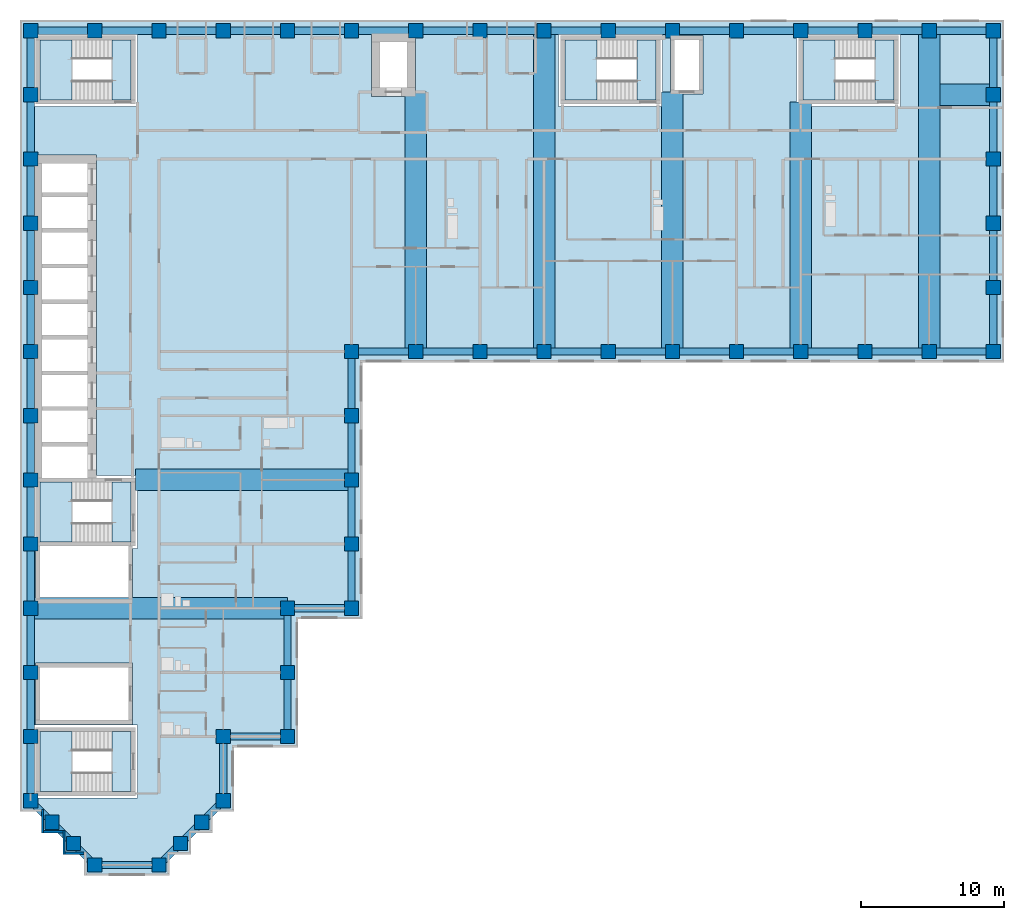
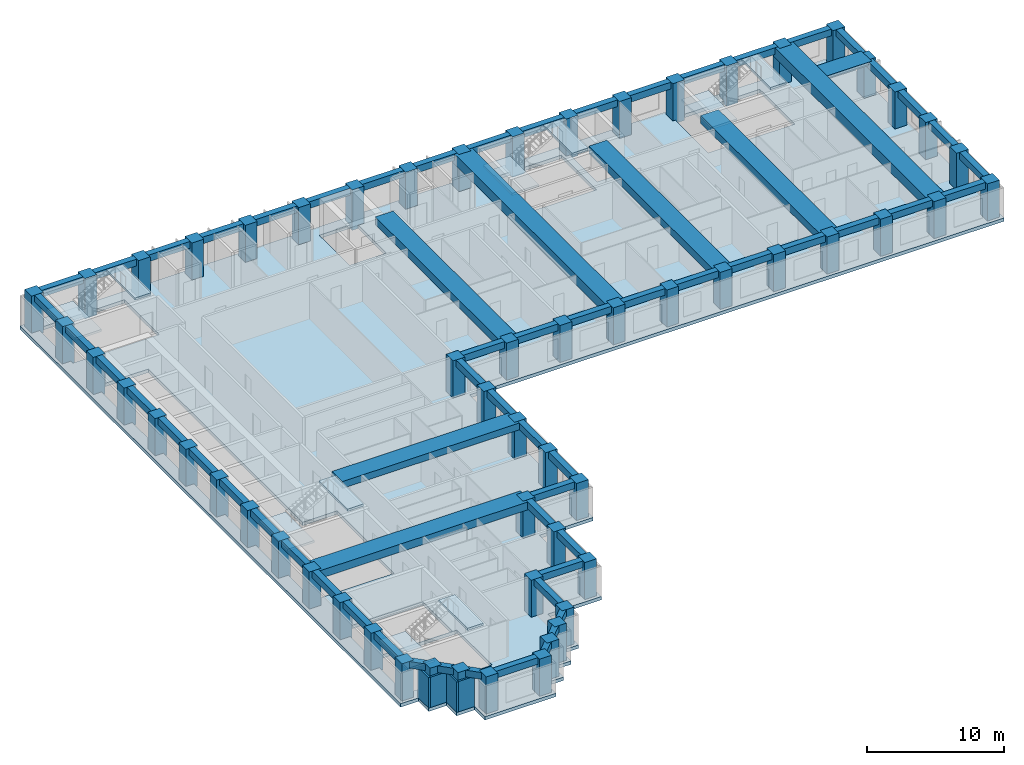
# One storey, part 1 of 12: 66 beams, 58 columns, 11 slabs, 4 walls, 5 elements without a shape of their own.
"""IFC4 building model written with IfcOpenShell, lengths in metres."""

from ifc_helpers import new_model, si_unit, direction, frame, frame_2d, origin, origin_2d, place, context, subcontext, project, spatial, polyline, rectangle, outline, extrude, material, layer, layer_set, material_profile, profile_set, type_object, element, aggregate, save


model = new_model("IFC4")

# Units and contexts
model_context = context("Model", 3, precision=1e-05, world=origin(), true_north=direction((0.0, 1.0)))
body_context = subcontext(model_context, "Body", "Model", "MODEL_VIEW")
ifc_project = project(units=[si_unit("LENGTHUNIT", "METRE"), si_unit("AREAUNIT", "SQUARE_METRE"), si_unit("VOLUMEUNIT", "CUBIC_METRE"), si_unit("PLANEANGLEUNIT", "RADIAN"), si_unit("MASSUNIT", "GRAM", prefix="KILO")], contexts=[model_context])

# Site, building, storey
site_placement = place(None, origin())
site = spatial("IfcSite", under=ifc_project, at=site_placement, CompositionType="ELEMENT")
building_placement = place(site_placement, origin())
building = spatial("IfcBuilding", under=site, at=building_placement, Name="Firuza Court", CompositionType="ELEMENT")
storey_placement = place(building_placement, frame((0.0, 0.0, 148.39990234375)))
storey = spatial("IfcBuildingStorey", under=building, at=storey_placement, Name="L37", CompositionType="ELEMENT", Elevation=148.39990234375)

# Columns
ifc_material_1 = material(Name="Concrete C60/75", Category="concrete")
ifc_material_profile_1 = material_profile(ifc_material_1, rectangle(XDim=1.0, YDim=1.0, at=origin_2d()), Name="RC 1000x1000")
ifc_profile_set_1 = profile_set([ifc_material_profile_1], Name="Concrete C60/75")
column_type = type_object("IfcColumnType", Name="Tube column RC 1000x1000 C60/75", PredefinedType="COLUMN", material=ifc_profile_set_1)
for number, where, z_axis, x_axis, name in (
    (1, (4.5, 0.0, -0.2998046875), (0.0, 0.0, 1.0), (1.0, 0.0, 0.0), "Column C-2D L37"),
    (2, (9.0, 0.0, -0.2998046875), (0.0, 0.0, 1.0), (1.0, 0.0, 0.0), "Column C-3D L37"),
    (3, (3.0, 1.5, -0.2998046875), (0.0, 0.0, 1.0), (1.0, 0.0, 0.0), "Column C-SA1 L37"),
    (4, (10.5, 1.5, -0.2998046875), (0.0, 0.0, 1.0), (1.0, 0.0, 0.0), "Column C-SA2 L37"),
    (5, (1.5, 3.0, -0.2998046875), (0.0, 0.0, 1.0), (1.0, 0.0, 0.0), "Column C-SA3 L37"),
    (6, (12.0, 3.0, -0.2998046875), (0.0, 0.0, 1.0), (1.0, 0.0, 0.0), "Column C-SA4 L37"),
    (7, (0.0, 4.5, -0.2998046875), (0.0, 0.0, 1.0), (1.0, 0.0, 0.0), "Column C-1E L37"),
    (8, (13.5, 4.5, -0.2998046875), (0.0, 0.0, 1.0), (1.0, 0.0, 0.0), "Column C-4E L37"),
    (9, (0.0, 9.0, -0.2998046875), (0.0, 0.0, 1.0), (1.0, 0.0, 0.0), "Column C-1F L37"),
    (10, (13.5, 9.0, -0.2998046875), (0.0, 0.0, 1.0), (1.0, 0.0, 0.0), "Column C-4F L37"),
    (11, (18.0, 9.0, -0.2998046875), (0.0, 0.0, 1.0), (1.0, 0.0, 0.0), "Column C-5F L37"),
    (12, (0.0, 13.5, -0.2998046875), (0.0, 0.0, 1.0), (1.0, 0.0, 0.0), "Column C-1G L37"),
    (13, (18.0, 13.5, -0.2998046875), (0.0, 0.0, 1.0), (1.0, 0.0, 0.0), "Column C-5G L37"),
    (14, (0.0, 18.0, -0.2998046875), (0.0, 0.0, 1.0), (1.0, 0.0, 0.0), "Column C-1H L37"),
    (15, (18.0, 18.0, -0.2998046875), (0.0, 0.0, 1.0), (1.0, 0.0, 0.0), "Column C-5H L37"),
    (16, (22.5, 18.0, -0.2998046875), (0.0, 0.0, 1.0), (1.0, 0.0, 0.0), "Column C-6H L37"),
    (17, (0.0, 22.5, -0.2998046875), (0.0, 0.0, 1.0), (1.0, 0.0, 0.0), "Column C-1J L37"),
    (18, (22.5, 22.5, -0.2998046875), (0.0, 0.0, 1.0), (1.0, 0.0, 0.0), "Column C-6J L37"),
    (19, (0.0, 27.0, -0.2998046875), (0.0, 0.0, 1.0), (1.0, 0.0, 0.0), "Column C-1K L37"),
    (20, (22.5, 27.0, -0.2998046875), (0.0, 0.0, 1.0), (1.0, 0.0, 0.0), "Column C-6K L37"),
    (21, (0.0, 31.5, -0.2998046875), (0.0, 0.0, 1.0), (1.0, 0.0, 0.0), "Column C-1L L37"),
    (22, (22.5, 31.5, -0.2998046875), (0.0, 0.0, 1.0), (1.0, 0.0, 0.0), "Column C-6L L37"),
    (23, (0.0, 36.0, -0.2998046875), (0.0, 0.0, 1.0), (1.0, 0.0, 0.0), "Column C-1M L37"),
    (24, (22.5, 36.0, -0.2998046875), (0.0, 0.0, 1.0), (1.0, 0.0, 0.0), "Column C-6M L37"),
    (25, (27.0, 36.0, -0.2998046875), (0.0, 0.0, 1.0), (1.0, 0.0, 0.0), "Column C-7M L37"),
    (26, (31.5, 36.0, -0.2998046875), (0.0, 0.0, 1.0), (1.0, 0.0, 0.0), "Column C-8M L37"),
    (27, (36.0, 36.0, -0.2998046875), (0.0, 0.0, 1.0), (1.0, 0.0, 0.0), "Column C-9M L37"),
    (28, (40.5, 36.0, -0.2998046875), (0.0, 0.0, 1.0), (1.0, 0.0, 0.0), "Column C-10M L37"),
    (29, (45.0, 36.0, -0.2998046875), (0.0, 0.0, 1.0), (1.0, 0.0, 0.0), "Column C-11M L37"),
    (30, (49.5, 36.0, -0.2998046875), (0.0, 0.0, 1.0), (1.0, 0.0, 0.0), "Column C-12M L37"),
    (31, (54.0, 36.0, -0.2998046875), (0.0, 0.0, 1.0), (1.0, 0.0, 0.0), "Column C-13M L37"),
    (32, (58.5, 36.0, -0.2998046875), (0.0, 0.0, 1.0), (1.0, 0.0, 0.0), "Column C-14M L37"),
    (33, (63.0, 36.0, -0.2998046875), (0.0, 0.0, 1.0), (1.0, 0.0, 0.0), "Column C-15M L37"),
    (34, (67.5, 36.0, -0.2998046875), (0.0, 0.0, 1.0), (1.0, 0.0, 0.0), "Column C-16M L37"),
    (35, (0.0, 40.5, -0.2998046875), (0.0, 0.0, 1.0), (1.0, 0.0, 0.0), "Column C-1N L37"),
    (36, (67.5, 40.5, -0.2998046875), (0.0, 0.0, 1.0), (1.0, 0.0, 0.0), "Column C-16N L37"),
    (37, (0.0, 45.0, -0.2998046875), (0.0, 0.0, 1.0), (1.0, 0.0, 0.0), "Column C-1P L37"),
    (38, (67.5, 45.0, -0.2998046875), (0.0, 0.0, 1.0), (1.0, 0.0, 0.0), "Column C-16P L37"),
    (39, (0.0, 49.5, -0.2998046875), (0.0, 0.0, 1.0), (1.0, 0.0, 0.0), "Column C-1Q L37"),
    (40, (67.5, 49.5, -0.2998046875), (0.0, 0.0, 1.0), (1.0, 0.0, 0.0), "Column C-16Q L37"),
    (41, (0.0, 54.0, -0.2998046875), (0.0, 0.0, 1.0), (1.0, 0.0, 0.0), "Column C-1R L37"),
    (42, (67.5, 54.0, -0.2998046875), (0.0, 0.0, 1.0), (1.0, 0.0, 0.0), "Column C-16R L37"),
    (43, (0.0, 58.5, -0.2998046875), (0.0, 0.0, 1.0), (1.0, 0.0, 0.0), "Column C-1S L37"),
    (44, (4.5, 58.5, -0.2998046875), (0.0, 0.0, 1.0), (1.0, 0.0, 0.0), "Column C-2S L37"),
    (45, (9.0, 58.5, -0.2998046875), (0.0, 0.0, 1.0), (1.0, 0.0, 0.0), "Column C-3S L37"),
    (46, (13.5, 58.5, -0.2998046875), (0.0, 0.0, 1.0), (1.0, 0.0, 0.0), "Column C-4S L37"),
    (47, (18.0, 58.5, -0.2998046875), (0.0, 0.0, 1.0), (1.0, 0.0, 0.0), "Column C-5S L37"),
    (48, (22.5, 58.5, -0.2998046875), (0.0, 0.0, 1.0), (1.0, 0.0, 0.0), "Column C-6S L37"),
    (49, (27.0, 58.5, -0.2998046875), (0.0, 0.0, 1.0), (1.0, 0.0, 0.0), "Column C-7S L37"),
    (50, (31.5, 58.5, -0.2998046875), (0.0, 0.0, 1.0), (1.0, 0.0, 0.0), "Column C-8S L37"),
    (51, (36.0, 58.5, -0.2998046875), (0.0, 0.0, 1.0), (1.0, 0.0, 0.0), "Column C-9S L37"),
    (52, (40.5, 58.5, -0.2998046875), (0.0, 0.0, 1.0), (1.0, 0.0, 0.0), "Column C-10S L37"),
    (53, (45.0, 58.5, -0.2998046875), (0.0, 0.0, 1.0), (1.0, 0.0, 0.0), "Column C-11S L37"),
    (54, (49.5, 58.5, -0.2998046875), (0.0, 0.0, 1.0), (1.0, 0.0, 0.0), "Column C-12S L37"),
    (55, (54.0, 58.5, -0.2998046875), (0.0, 0.0, 1.0), (1.0, 0.0, 0.0), "Column C-13S L37"),
    (56, (58.5, 58.5, -0.2998046875), (0.0, 0.0, 1.0), (1.0, 0.0, 0.0), "Column C-14S L37"),
    (57, (63.0, 58.5, -0.2998046875), (0.0, 0.0, 1.0), (1.0, 0.0, 0.0), "Column C-15S L37"),
    (58, (67.5, 58.5, -0.2998046875), (0.0, 0.0, 1.0), (1.0, 0.0, 0.0), "Column C-16S L37"),
):
    element("IfcColumn", number, at=place(storey_placement, frame(where, z_axis=z_axis, x_axis=x_axis)), inside=storey, type_object=column_type, Name=name, PredefinedType="COLUMN", context=body_context, shape_type="SweptSolid", body=[
        extrude(rectangle(XDim=1.0, YDim=1.0, at=origin_2d()), origin(), (0.0, 0.0, 1.0), 3.599853515625),
    ])

# Beams
ifc_material_2 = material(Name="Concrete C40/50", Category="concrete")
ifc_material_profile_2 = material_profile(ifc_material_2, rectangle(XDim=1.5, YDim=0.300048828125, at=origin_2d()), Name="RC 1500x300")
ifc_profile_set_2 = profile_set([ifc_material_profile_2], Name="Concrete C40/50")
beam_type_1 = type_object("IfcBeamType", Name="Band beam RC 1500x300 C40/50", PredefinedType="BEAM", material=ifc_profile_set_2)
beam_1_placement = place(storey_placement, frame((67.5, 54.0, 3.150146484375), z_axis=(-1.0, 0.0, 0.0), x_axis=(0.0, -1.0, 0.0)))
element("IfcBeam", 59, at=beam_1_placement, inside=storey, type_object=beam_type_1, Name="Band beam FB6 level L38", PredefinedType="BEAM", context=body_context, shape_type="SweptSolid", body=[
    extrude(rectangle(XDim=1.5, YDim=0.300048828125, at=origin_2d()), origin(), (0.0, 0.0, 1.0), 3.75),
])
ifc_material_3 = material(Name="Concrete C40/50", Category="concrete")
ifc_material_profile_3 = material_profile(ifc_material_3, rectangle(XDim=1.5, YDim=0.60009765625, at=origin_2d()), Name="RC 1500x600")
ifc_profile_set_3 = profile_set([ifc_material_profile_3], Name="Concrete C40/50")
beam_type_2 = type_object("IfcBeamType", Name="Band beam RC 1500x600 C40/50", PredefinedType="BEAM", material=ifc_profile_set_3)
beam_2_placement = place(storey_placement, frame((22.5, 27.0, 3.0), z_axis=(-1.0, 0.0, 0.0), x_axis=(0.0, -1.0, 0.0)))
element("IfcBeam", 60, at=beam_2_placement, inside=storey, type_object=beam_type_2, Name="Band beam FB3 level L38", PredefinedType="BEAM", context=body_context, shape_type="SweptSolid", body=[
    extrude(rectangle(XDim=1.5, YDim=0.60009765625, at=origin_2d()), origin(), (0.0, 0.0, 1.0), 15.14990234375),
])
ifc_material_4 = material(Name="Concrete C40/50", Category="concrete")
ifc_material_profile_4 = material_profile(ifc_material_4, rectangle(XDim=1.5, YDim=0.699951171875, at=origin_2d()), Name="RC 1500x700")
ifc_profile_set_4 = profile_set([ifc_material_profile_4], Name="Concrete C40/50")
beam_type_3 = type_object("IfcBeamType", Name="Band beam RC 1500x700 C40/50", PredefinedType="BEAM", material=ifc_profile_set_4)
beam_3_placement = place(storey_placement, frame((0.0, 18.0, 2.9501953125), z_axis=(1.0, 0.0, 0.0), x_axis=(0.0, 1.0, 0.0)))
element("IfcBeam", 61, at=beam_3_placement, inside=storey, type_object=beam_type_3, Name="Band beam FB1 level L38", PredefinedType="BEAM", context=body_context, shape_type="SweptSolid", body=[
    extrude(rectangle(XDim=1.5, YDim=0.699951171875, at=origin_2d()), origin(), (0.0, 0.0, 1.0), 18.0),
])
for number, where, z_axis, x_axis, name in (
    (62, (27.0, 36.0, 2.9501953125), (0.0, 1.0, 0.0), (-1.0, 0.0, 0.0), "Band beam FB1 level L38"),
    (63, (45.0, 36.0, 2.9501953125), (0.0, 1.0, 0.0), (-1.0, 0.0, 0.0), "Band beam FB1 level L38"),
):
    element("IfcBeam", number, at=place(storey_placement, frame(where, z_axis=z_axis, x_axis=x_axis)), inside=storey, type_object=beam_type_3, Name=name, PredefinedType="BEAM", context=body_context, shape_type="SweptSolid", body=[
        extrude(rectangle(XDim=1.5, YDim=0.699951171875, at=origin_2d()), origin(), (0.0, 0.0, 1.0), 18.199951171875),
    ])
beam_4_placement = place(storey_placement, frame((54.0, 36.0, 2.9501953125), z_axis=(0.0, 1.0, 0.0), x_axis=(-1.0, 0.0, 0.0)))
element("IfcBeam", 64, at=beam_4_placement, inside=storey, type_object=beam_type_3, Name="Band beam FB1 level L38", PredefinedType="BEAM", context=body_context, shape_type="SweptSolid", body=[
    extrude(rectangle(XDim=1.5, YDim=0.699951171875, at=origin_2d()), origin(), (0.0, 0.0, 1.0), 17.5),
])
ifc_material_5 = material(Name="Concrete C40/50", Category="concrete")
ifc_material_profile_5 = material_profile(ifc_material_5, rectangle(XDim=1.5, YDim=0.89990234375, at=origin_2d()), Name="RC 1500x900")
ifc_profile_set_5 = profile_set([ifc_material_profile_5], Name="Concrete C40/50")
beam_type_4 = type_object("IfcBeamType", Name="Band beam RC 1500x900 C40/50", PredefinedType="BEAM", material=ifc_profile_set_5)
for number, where, z_axis, x_axis, name in (
    (65, (36.0, 36.0, 2.85009765625), (0.0, 1.0, 0.0), (-1.0, 0.0, 0.0), "Band beam FB2 level L38"),
    (66, (63.0, 36.0, 2.85009765625), (0.0, 1.0, 0.0), (-1.0, 0.0, 0.0), "Band beam FB2 level L38"),
):
    element("IfcBeam", number, at=place(storey_placement, frame(where, z_axis=z_axis, x_axis=x_axis)), inside=storey, type_object=beam_type_4, Name=name, PredefinedType="BEAM", context=body_context, shape_type="SweptSolid", body=[
        extrude(rectangle(XDim=1.5, YDim=0.89990234375, at=origin_2d()), origin(), (0.0, 0.0, 1.0), 22.5),
    ])
ifc_material_6 = material(Name="Concrete C40/50", Category="concrete")
ifc_material_profile_6 = material_profile(ifc_material_6, rectangle(XDim=0.5, YDim=0.60009765625, at=origin_2d()), Name="RC 500x600")
ifc_profile_set_6 = profile_set([ifc_material_profile_6], Name="Concrete C40/50")
beam_type_5 = type_object("IfcBeamType", Name="Spandrel beam RC 500x600 C40/50", PredefinedType="BEAM", material=ifc_profile_set_6)
beam_5_placement = place(storey_placement, frame((0.0, 4.5, 3.0), z_axis=(0.707106781187, -0.707106781187, 0.0), x_axis=(0.707106781187, 0.707106781187, 0.0)))
element("IfcBeam", 67, at=beam_5_placement, inside=storey, type_object=beam_type_5, Name="Spandrel beam SP13 level L38", PredefinedType="BEAM", context=body_context, shape_type="SweptSolid", body=[
    extrude(rectangle(XDim=0.5, YDim=0.60009765625, at=origin_2d()), origin(), (0.0, 0.0, 1.0), 2.121337890625),
])
for number, where, z_axis, x_axis, name in (
    (68, (0.0, 9.0, 3.0), (0.0, -1.0, 0.0), (1.0, 0.0, 0.0), "Spandrel beam SP13 level L38"),
    (69, (0.0, 13.5, 3.0), (0.0, -1.0, 0.0), (1.0, 0.0, 0.0), "Spandrel beam SP13 level L38"),
    (70, (0.0, 18.0, 3.0), (0.0, -1.0, 0.0), (1.0, 0.0, 0.0), "Spandrel beam SP13 level L38"),
    (71, (0.0, 22.5, 3.0), (0.0, -1.0, 0.0), (1.0, 0.0, 0.0), "Spandrel beam SP13 level L38"),
    (72, (0.0, 27.0, 3.0), (0.0, -1.0, 0.0), (1.0, 0.0, 0.0), "Spandrel beam SP13 level L38"),
    (73, (0.0, 31.5, 3.0), (0.0, -1.0, 0.0), (1.0, 0.0, 0.0), "Spandrel beam SP13 level L38"),
    (74, (0.0, 36.0, 3.0), (0.0, -1.0, 0.0), (1.0, 0.0, 0.0), "Spandrel beam SP13 level L38"),
    (75, (0.0, 40.5, 3.0), (0.0, -1.0, 0.0), (1.0, 0.0, 0.0), "Spandrel beam SP13 level L38"),
    (76, (0.0, 45.0, 3.0), (0.0, -1.0, 0.0), (1.0, 0.0, 0.0), "Spandrel beam SP13 level L38"),
    (77, (0.0, 49.5, 3.0), (0.0, -1.0, 0.0), (1.0, 0.0, 0.0), "Spandrel beam SP13 level L38"),
    (78, (0.0, 54.0, 3.0), (0.0, -1.0, 0.0), (1.0, 0.0, 0.0), "Spandrel beam SP13 level L38"),
    (79, (0.0, 58.5, 3.0), (0.0, -1.0, 0.0), (1.0, 0.0, 0.0), "Spandrel beam SP13 level L38"),
):
    element("IfcBeam", number, at=place(storey_placement, frame(where, z_axis=z_axis, x_axis=x_axis)), inside=storey, type_object=beam_type_5, Name=name, PredefinedType="BEAM", context=body_context, shape_type="SweptSolid", body=[
        extrude(rectangle(XDim=0.5, YDim=0.60009765625, at=origin_2d()), origin(), (0.0, 0.0, 1.0), 4.5),
    ])
for number, where, z_axis, x_axis, name in (
    (80, (1.5, 3.0, 3.0), (0.707106781187, -0.707106781187, 0.0), (0.707106781187, 0.707106781187, 0.0), "Spandrel beam SP13 level L38"),
    (81, (3.0, 1.5, 3.0), (0.707106781187, -0.707106781187, 0.0), (0.707106781187, 0.707106781187, 0.0), "Spandrel beam SP13 level L38"),
):
    element("IfcBeam", number, at=place(storey_placement, frame(where, z_axis=z_axis, x_axis=x_axis)), inside=storey, type_object=beam_type_5, Name=name, PredefinedType="BEAM", context=body_context, shape_type="SweptSolid", body=[
        extrude(rectangle(XDim=0.5, YDim=0.60009765625, at=origin_2d()), origin(), (0.0, 0.0, 1.0), 2.121337890625),
    ])
for number, where, z_axis, x_axis, name in (
    (82, (4.5, 0.0, 3.0), (1.0, 0.0, 0.0), (0.0, 1.0, 0.0), "Spandrel beam SP13 level L38"),
    (83, (4.5, 58.5, 3.0), (-1.0, 0.0, 0.0), (0.0, -1.0, 0.0), "Spandrel beam SP13 level L38"),
):
    element("IfcBeam", number, at=place(storey_placement, frame(where, z_axis=z_axis, x_axis=x_axis)), inside=storey, type_object=beam_type_5, Name=name, PredefinedType="BEAM", context=body_context, shape_type="SweptSolid", body=[
        extrude(rectangle(XDim=0.5, YDim=0.60009765625, at=origin_2d()), origin(), (0.0, 0.0, 1.0), 4.5),
    ])
beam_6_placement = place(storey_placement, frame((9.0, 0.0, 3.0), z_axis=(0.707106781187, 0.707106781187, 0.0), x_axis=(-0.707106781187, 0.707106781187, 0.0)))
element("IfcBeam", 84, at=beam_6_placement, inside=storey, type_object=beam_type_5, Name="Spandrel beam SP13 level L38", PredefinedType="BEAM", context=body_context, shape_type="SweptSolid", body=[
    extrude(rectangle(XDim=0.5, YDim=0.60009765625, at=origin_2d()), origin(), (0.0, 0.0, 1.0), 2.121337890625),
])
beam_7_placement = place(storey_placement, frame((9.0, 58.5, 3.0), z_axis=(-1.0, 0.0, 0.0), x_axis=(0.0, -1.0, 0.0)))
element("IfcBeam", 85, at=beam_7_placement, inside=storey, type_object=beam_type_5, Name="Spandrel beam SP13 level L38", PredefinedType="BEAM", context=body_context, shape_type="SweptSolid", body=[
    extrude(rectangle(XDim=0.5, YDim=0.60009765625, at=origin_2d()), origin(), (0.0, 0.0, 1.0), 4.5),
])
for number, where, z_axis, x_axis, name in (
    (86, (10.5, 1.5, 3.0), (0.707106781187, 0.707106781187, 0.0), (-0.707106781187, 0.707106781187, 0.0), "Spandrel beam SP13 level L38"),
    (87, (12.0, 3.0, 3.0), (0.707106781187, 0.707106781187, 0.0), (-0.707106781187, 0.707106781187, 0.0), "Spandrel beam SP13 level L38"),
):
    element("IfcBeam", number, at=place(storey_placement, frame(where, z_axis=z_axis, x_axis=x_axis)), inside=storey, type_object=beam_type_5, Name=name, PredefinedType="BEAM", context=body_context, shape_type="SweptSolid", body=[
        extrude(rectangle(XDim=0.5, YDim=0.60009765625, at=origin_2d()), origin(), (0.0, 0.0, 1.0), 2.121337890625),
    ])
for number, where, z_axis, x_axis, name in (
    (88, (13.5, 4.5, 3.0), (0.0, 1.0, 0.0), (-1.0, 0.0, 0.0), "Spandrel beam SP13 level L38"),
    (89, (13.5, 9.0, 3.0), (1.0, 0.0, 0.0), (0.0, 1.0, 0.0), "Spandrel beam SP13 level L38"),
    (90, (13.5, 58.5, 3.0), (-1.0, 0.0, 0.0), (0.0, -1.0, 0.0), "Spandrel beam SP13 level L38"),
    (91, (18.0, 9.0, 3.0), (0.0, 1.0, 0.0), (-1.0, 0.0, 0.0), "Spandrel beam SP13 level L38"),
    (92, (18.0, 13.5, 3.0), (0.0, 1.0, 0.0), (-1.0, 0.0, 0.0), "Spandrel beam SP13 level L38"),
    (93, (18.0, 18.0, 3.0), (1.0, 0.0, 0.0), (0.0, 1.0, 0.0), "Spandrel beam SP13 level L38"),
    (94, (18.0, 58.5, 3.0), (-1.0, 0.0, 0.0), (0.0, -1.0, 0.0), "Spandrel beam SP13 level L38"),
    (95, (22.5, 18.0, 3.0), (0.0, 1.0, 0.0), (-1.0, 0.0, 0.0), "Spandrel beam SP13 level L38"),
    (96, (22.5, 22.5, 3.0), (0.0, 1.0, 0.0), (-1.0, 0.0, 0.0), "Spandrel beam SP13 level L38"),
    (97, (22.5, 27.0, 3.0), (0.0, 1.0, 0.0), (-1.0, 0.0, 0.0), "Spandrel beam SP13 level L38"),
    (98, (22.5, 31.5, 3.0), (0.0, 1.0, 0.0), (-1.0, 0.0, 0.0), "Spandrel beam SP13 level L38"),
    (99, (22.5, 36.0, 3.0), (1.0, 0.0, 0.0), (0.0, 1.0, 0.0), "Spandrel beam SP13 level L38"),
    (100, (22.5, 58.5, 3.0), (-1.0, 0.0, 0.0), (0.0, -1.0, 0.0), "Spandrel beam SP13 level L38"),
    (101, (27.0, 36.0, 3.0), (1.0, 0.0, 0.0), (0.0, 1.0, 0.0), "Spandrel beam SP13 level L38"),
    (102, (27.0, 58.5, 3.0), (-1.0, 0.0, 0.0), (0.0, -1.0, 0.0), "Spandrel beam SP13 level L38"),
    (103, (31.5, 36.0, 3.0), (1.0, 0.0, 0.0), (0.0, 1.0, 0.0), "Spandrel beam SP13 level L38"),
    (104, (31.5, 58.5, 3.0), (-1.0, 0.0, 0.0), (0.0, -1.0, 0.0), "Spandrel beam SP13 level L38"),
    (105, (36.0, 36.0, 3.0), (1.0, 0.0, 0.0), (0.0, 1.0, 0.0), "Spandrel beam SP13 level L38"),
    (106, (36.0, 58.5, 3.0), (-1.0, 0.0, 0.0), (0.0, -1.0, 0.0), "Spandrel beam SP13 level L38"),
    (107, (40.5, 36.0, 3.0), (1.0, 0.0, 0.0), (0.0, 1.0, 0.0), "Spandrel beam SP13 level L38"),
    (108, (40.5, 58.5, 3.0), (-1.0, 0.0, 0.0), (0.0, -1.0, 0.0), "Spandrel beam SP13 level L38"),
    (109, (45.0, 36.0, 3.0), (1.0, 0.0, 0.0), (0.0, 1.0, 0.0), "Spandrel beam SP13 level L38"),
    (110, (45.0, 58.5, 3.0), (-1.0, 0.0, 0.0), (0.0, -1.0, 0.0), "Spandrel beam SP13 level L38"),
    (111, (49.5, 36.0, 3.0), (1.0, 0.0, 0.0), (0.0, 1.0, 0.0), "Spandrel beam SP13 level L38"),
    (112, (49.5, 58.5, 3.0), (-1.0, 0.0, 0.0), (0.0, -1.0, 0.0), "Spandrel beam SP13 level L38"),
    (113, (54.0, 36.0, 3.0), (1.0, 0.0, 0.0), (0.0, 1.0, 0.0), "Spandrel beam SP13 level L38"),
    (114, (54.0, 58.5, 3.0), (-1.0, 0.0, 0.0), (0.0, -1.0, 0.0), "Spandrel beam SP13 level L38"),
    (115, (58.5, 36.0, 3.0), (1.0, 0.0, 0.0), (0.0, 1.0, 0.0), "Spandrel beam SP13 level L38"),
    (116, (58.5, 58.5, 3.0), (-1.0, 0.0, 0.0), (0.0, -1.0, 0.0), "Spandrel beam SP13 level L38"),
    (117, (63.0, 36.0, 3.0), (1.0, 0.0, 0.0), (0.0, 1.0, 0.0), "Spandrel beam SP13 level L38"),
    (118, (63.0, 58.5, 3.0), (-1.0, 0.0, 0.0), (0.0, -1.0, 0.0), "Spandrel beam SP13 level L38"),
    (119, (67.5, 36.0, 3.0), (0.0, 1.0, 0.0), (-1.0, 0.0, 0.0), "Spandrel beam SP13 level L38"),
    (120, (67.5, 40.5, 3.0), (0.0, 1.0, 0.0), (-1.0, 0.0, 0.0), "Spandrel beam SP13 level L38"),
    (121, (67.5, 45.0, 3.0), (0.0, 1.0, 0.0), (-1.0, 0.0, 0.0), "Spandrel beam SP13 level L38"),
    (122, (67.5, 49.5, 3.0), (0.0, 1.0, 0.0), (-1.0, 0.0, 0.0), "Spandrel beam SP13 level L38"),
    (123, (67.5, 54.0, 3.0), (0.0, 1.0, 0.0), (-1.0, 0.0, 0.0), "Spandrel beam SP13 level L38"),
    (124, (67.5, 58.5, 3.0), (-1.0, 0.0, 0.0), (0.0, -1.0, 0.0), "Spandrel beam SP13 level L38"),
):
    element("IfcBeam", number, at=place(storey_placement, frame(where, z_axis=z_axis, x_axis=x_axis)), inside=storey, type_object=beam_type_5, Name=name, PredefinedType="BEAM", context=body_context, shape_type="SweptSolid", body=[
        extrude(rectangle(XDim=0.5, YDim=0.60009765625, at=origin_2d()), origin(), (0.0, 0.0, 1.0), 4.5),
    ])

# Slab
ifc_material_7 = material(Name="Concrete C40/50", Category="concrete")
ifc_layer_1 = layer(ifc_material_7, 0.300048828125)
ifc_layer_set_1 = layer_set([ifc_layer_1], Name="Concrete C40/50")
slab_type_1 = type_object("IfcSlabType", Name="Floor slab 300 C40/50", PredefinedType="FLOOR", material=ifc_layer_set_1)
slab_1_placement = place(storey_placement, frame((0.0, 0.0, -0.2998046875)))
element("IfcSlab", 125, at=slab_1_placement, inside=storey, type_object=slab_type_1, Name="Floor slab L37", PredefinedType="FLOOR", context=body_context, shape_type="SweptSolid", body=[
    extrude(outline(polyline([(3.75, -0.75), (3.75, 0.75), (2.25, 0.75), (2.25, 2.25), (0.75, 2.25), (0.75, 3.75), (-0.75, 3.75), (-0.75, 59.25), (68.25, 59.25), (68.25, 35.25), (23.25, 35.25), (23.25, 17.25), (18.75, 17.25), (18.75, 8.25), (14.25, 8.25), (14.25, 3.75), (12.75, 3.75), (12.75, 2.25), (11.25, 2.25), (11.25, 0.75), (9.75, 0.75), (9.75, -0.75), (3.75, -0.75)]), holes=[polyline([(0.199951171875, 29.800048828125), (0.199951171875, 29.199951171875), (0.199951171875, 27.300048828125), (0.199951171875, 26.699951171875), (0.199951171875, 22.199951171875), (0.35009765625, 22.199951171875), (0.35009765625, 18.35009765625), (7.14990234375, 18.35009765625), (7.14990234375, 22.199951171875), (7.5, 22.199951171875), (7.5, 27.300048828125), (4.60009765625, 27.300048828125), (4.60009765625, 29.199951171875), (4.60009765625, 29.800048828125), (4.60009765625, 31.699951171875), (4.60009765625, 32.300048828125), (4.60009765625, 34.199951171875), (4.60009765625, 34.800048828125), (4.60009765625, 36.699951171875), (4.60009765625, 37.300048828125), (4.60009765625, 39.199951171875), (4.60009765625, 39.800048828125), (4.60009765625, 41.699951171875), (4.60009765625, 42.300048828125), (4.60009765625, 44.199951171875), (4.60009765625, 44.800048828125), (4.60009765625, 46.699951171875), (4.60009765625, 47.300048828125), (4.60009765625, 49.800048828125), (0.199951171875, 49.800048828125), (0.199951171875, 47.300048828125), (0.199951171875, 46.699951171875), (0.199951171875, 44.800048828125), (0.199951171875, 44.199951171875), (0.199951171875, 42.300048828125), (0.199951171875, 41.699951171875), (0.199951171875, 39.800048828125), (0.199951171875, 39.199951171875), (0.199951171875, 37.300048828125), (0.199951171875, 36.699951171875), (0.199951171875, 34.800048828125), (0.199951171875, 34.199951171875), (0.199951171875, 32.300048828125), (0.199951171875, 31.699951171875), (0.199951171875, 29.800048828125)]), polyline([(7.5, 9.800048828125), (0.199951171875, 9.800048828125), (0.199951171875, 4.699951171875), (7.5, 4.699951171875), (7.5, 9.800048828125)]), polyline([(7.14990234375, 14.14990234375), (0.35009765625, 14.14990234375), (0.35009765625, 9.85009765625), (7.14990234375, 9.85009765625), (7.14990234375, 14.14990234375)]), polyline([(7.5, 58.300048828125), (0.199951171875, 58.300048828125), (0.199951171875, 53.199951171875), (7.5, 53.199951171875), (7.5, 58.300048828125)]), polyline([(44.300048828125, 58.300048828125), (37.0, 58.300048828125), (37.0, 53.199951171875), (44.300048828125, 53.199951171875), (44.300048828125, 58.300048828125)]), polyline([(61.0, 58.300048828125), (53.699951171875, 58.300048828125), (53.699951171875, 53.199951171875), (61.0, 53.199951171875), (61.0, 58.300048828125)]), polyline([(27.0, 53.89990234375), (27.0, 58.300048828125), (23.89990234375, 58.300048828125), (23.89990234375, 53.89990234375), (27.0, 53.89990234375)]), polyline([(47.14990234375, 54.050048828125), (47.14990234375, 58.14990234375), (44.85009765625, 58.14990234375), (44.85009765625, 54.050048828125), (47.14990234375, 54.050048828125)])]), origin(), (0.0, 0.0, 1.0), 0.2998046875),
])

# Stair, slabs
ifc_material_8 = material(Name="Concrete C40/50 precast", Category="concrete")
stair_type = type_object("IfcStairType", Name="Stair 1350 x 3600 2 flights", PredefinedType="HALF_TURN_STAIR", material=ifc_material_8)
stair_1_placement = place(storey_placement, origin())
stair_1 = element("IfcStair", 126, at=stair_1_placement, inside=storey, type_object=stair_type, Name="Stair 1 L37", PredefinedType="HALF_TURN_STAIR")
ifc_material_9 = material(Name="Concrete C40/50 precast", Category="concrete")
ifc_layer_2 = layer(ifc_material_9, 0.199951171875)
ifc_layer_set_2 = layer_set([ifc_layer_2], Name="Concrete C40/50 precast")
slab_type_2 = type_object("IfcSlabType", Name="Stair landing 200", PredefinedType="LANDING", material=ifc_layer_set_2)
slab_2_placement = place(storey_placement, frame((0.0, 0.0, 1.60009765625)))
slab_2 = element("IfcSlab", 127, at=slab_2_placement, type_object=slab_type_2, Name="S1 landing 1", PredefinedType="LANDING", context=body_context, shape_type="SweptSolid", body=[
    extrude(outline(polyline([(39.699951171875, 53.64990234375), (39.699951171875, 57.85009765625), (37.449951171875, 57.85009765625), (37.449951171875, 53.64990234375), (39.699951171875, 53.64990234375)])), origin(), (0.0, 0.0, 1.0), 0.199951171875),
])
slab_3_placement = place(storey_placement, frame((0.0, 0.0, 3.400146484375)))
slab_3 = element("IfcSlab", 128, at=slab_3_placement, type_object=slab_type_2, Name="S1 landing 2", PredefinedType="LANDING", context=body_context, shape_type="SweptSolid", body=[
    extrude(outline(polyline([(43.85009765625, 53.64990234375), (43.85009765625, 57.85009765625), (42.5, 57.85009765625), (42.5, 53.64990234375), (43.85009765625, 53.64990234375)])), origin(), (0.0, 0.0, 1.0), 0.199951171875),
])
aggregate(stair_1, [slab_2, slab_3])

stair_2_placement = place(storey_placement, origin())
stair_2 = element("IfcStair", 129, at=stair_2_placement, inside=storey, type_object=stair_type, Name="Stair 2 L37", PredefinedType="HALF_TURN_STAIR")
slab_4_placement = place(storey_placement, frame((0.0, 0.0, 1.60009765625)))
slab_4 = element("IfcSlab", 130, at=slab_4_placement, type_object=slab_type_2, Name="S2 landing 1", PredefinedType="LANDING", context=body_context, shape_type="SweptSolid", body=[
    extrude(outline(polyline([(2.89990234375, 22.64990234375), (2.89990234375, 26.85009765625), (0.64990234375, 26.85009765625), (0.64990234375, 22.64990234375), (2.89990234375, 22.64990234375)])), origin(), (0.0, 0.0, 1.0), 0.199951171875),
])
slab_5_placement = place(storey_placement, frame((0.0, 0.0, 3.400146484375)))
slab_5 = element("IfcSlab", 131, at=slab_5_placement, type_object=slab_type_2, Name="S2 landing 2", PredefinedType="LANDING", context=body_context, shape_type="SweptSolid", body=[
    extrude(outline(polyline([(7.050048828125, 22.64990234375), (7.050048828125, 26.85009765625), (5.699951171875, 26.85009765625), (5.699951171875, 22.64990234375), (7.050048828125, 22.64990234375)])), origin(), (0.0, 0.0, 1.0), 0.199951171875),
])
aggregate(stair_2, [slab_4, slab_5])

stair_3_placement = place(storey_placement, origin())
stair_3 = element("IfcStair", 132, at=stair_3_placement, inside=storey, type_object=stair_type, Name="Stair 3 L37", PredefinedType="HALF_TURN_STAIR")
slab_6_placement = place(storey_placement, frame((0.0, 0.0, 1.60009765625)))
slab_6 = element("IfcSlab", 133, at=slab_6_placement, type_object=slab_type_2, Name="S3 landing 1", PredefinedType="LANDING", context=body_context, shape_type="SweptSolid", body=[
    extrude(outline(polyline([(2.89990234375, 53.64990234375), (2.89990234375, 57.85009765625), (0.64990234375, 57.85009765625), (0.64990234375, 53.64990234375), (2.89990234375, 53.64990234375)])), origin(), (0.0, 0.0, 1.0), 0.199951171875),
])
slab_7_placement = place(storey_placement, frame((0.0, 0.0, 3.400146484375)))
slab_7 = element("IfcSlab", 134, at=slab_7_placement, type_object=slab_type_2, Name="S3 landing 2", PredefinedType="LANDING", context=body_context, shape_type="SweptSolid", body=[
    extrude(outline(polyline([(7.050048828125, 53.64990234375), (7.050048828125, 57.85009765625), (5.699951171875, 57.85009765625), (5.699951171875, 53.64990234375), (7.050048828125, 53.64990234375)])), origin(), (0.0, 0.0, 1.0), 0.199951171875),
])
aggregate(stair_3, [slab_6, slab_7])

stair_4_placement = place(storey_placement, origin())
stair_4 = element("IfcStair", 135, at=stair_4_placement, inside=storey, type_object=stair_type, Name="Stair 4 L37", PredefinedType="HALF_TURN_STAIR")
slab_8_placement = place(storey_placement, frame((0.0, 0.0, 1.60009765625)))
slab_8 = element("IfcSlab", 136, at=slab_8_placement, type_object=slab_type_2, Name="S4 landing 1", PredefinedType="LANDING", context=body_context, shape_type="SweptSolid", body=[
    extrude(outline(polyline([(56.39990234375, 53.64990234375), (56.39990234375, 57.85009765625), (54.14990234375, 57.85009765625), (54.14990234375, 53.64990234375), (56.39990234375, 53.64990234375)])), origin(), (0.0, 0.0, 1.0), 0.199951171875),
])
slab_9_placement = place(storey_placement, frame((0.0, 0.0, 3.400146484375)))
slab_9 = element("IfcSlab", 137, at=slab_9_placement, type_object=slab_type_2, Name="S4 landing 2", PredefinedType="LANDING", context=body_context, shape_type="SweptSolid", body=[
    extrude(outline(polyline([(60.550048828125, 53.64990234375), (60.550048828125, 57.85009765625), (59.199951171875, 57.85009765625), (59.199951171875, 53.64990234375), (60.550048828125, 53.64990234375)])), origin(), (0.0, 0.0, 1.0), 0.199951171875),
])
aggregate(stair_4, [slab_8, slab_9])

stair_5_placement = place(storey_placement, origin())
stair_5 = element("IfcStair", 138, at=stair_5_placement, inside=storey, type_object=stair_type, Name="Stair 5 L37", PredefinedType="HALF_TURN_STAIR")
slab_10_placement = place(storey_placement, frame((0.0, 0.0, 1.60009765625)))
slab_10 = element("IfcSlab", 139, at=slab_10_placement, type_object=slab_type_2, Name="S5 landing 1", PredefinedType="LANDING", context=body_context, shape_type="SweptSolid", body=[
    extrude(outline(polyline([(2.89990234375, 5.14990234375), (2.89990234375, 9.35009765625), (0.64990234375, 9.35009765625), (0.64990234375, 5.14990234375), (2.89990234375, 5.14990234375)])), origin(), (0.0, 0.0, 1.0), 0.199951171875),
])
slab_11_placement = place(storey_placement, frame((0.0, 0.0, 3.400146484375)))
slab_11 = element("IfcSlab", 140, at=slab_11_placement, type_object=slab_type_2, Name="S5 landing 2", PredefinedType="LANDING", context=body_context, shape_type="SweptSolid", body=[
    extrude(outline(polyline([(7.050048828125, 5.14990234375), (7.050048828125, 9.35009765625), (5.699951171875, 9.35009765625), (5.699951171875, 5.14990234375), (7.050048828125, 5.14990234375)])), origin(), (0.0, 0.0, 1.0), 0.199951171875),
])
aggregate(stair_5, [slab_10, slab_11])

# Walls
ifc_material_10 = material(Name="Ceramic tile", Category="ceramic")
ifc_layer_3 = layer(ifc_material_10, 0.02001953125)
ifc_material_11 = material(Name="Mineral wool insulation", Category="insulation")
ifc_layer_4 = layer(ifc_material_11, 0.050048828125)
ifc_layer_5 = layer(ifc_material_9, 0.080078125)
ifc_layer_set_3 = layer_set([ifc_layer_3, ifc_layer_4, ifc_layer_5], Name="Concrete C40/50 precast")
wall_type = type_object("IfcWallType", Name="Precast cladding wall with turquoise TILE PANEL face 150", PredefinedType="STANDARD", material=ifc_layer_set_3)
wall_1_placement = place(storey_placement, frame((0.824951171875, 3.89990234375, 0.0), z_axis=(0.0, 0.0, 1.0), x_axis=(0.0, -1.0, 0.0)))
element("IfcWall", 141, at=wall_1_placement, inside=storey, type_object=wall_type, Name="Facade wall L37 W", PredefinedType="STANDARD", context=body_context, shape_type="SweptSolid", body=[
    extrude(rectangle(XDim=1.64990234375, YDim=0.14990234375, at=frame_2d((0.824951171875, 0.0))), origin(), (0.0, 0.0, 1.0), 2.7001953125),
])
wall_2_placement = place(storey_placement, frame((0.89990234375, 2.324951171875, 0.0), z_axis=(0.0, 0.0, 1.0), x_axis=(1.0, 0.0, 0.0)))
element("IfcWall", 142, at=wall_2_placement, inside=storey, type_object=wall_type, Name="Facade wall L37 S", PredefinedType="STANDARD", context=body_context, shape_type="SweptSolid", body=[
    extrude(rectangle(XDim=1.35009765625, YDim=0.14990234375, at=frame_2d((0.675048828125, 0.0))), origin(), (0.0, 0.0, 1.0), 2.7001953125),
])
wall_3_placement = place(storey_placement, frame((2.324951171875, 2.39990234375, 0.0), z_axis=(0.0, 0.0, 1.0), x_axis=(0.0, -1.0, 0.0)))
element("IfcWall", 143, at=wall_3_placement, inside=storey, type_object=wall_type, Name="Facade wall L37 W", PredefinedType="STANDARD", context=body_context, shape_type="SweptSolid", body=[
    extrude(rectangle(XDim=1.64990234375, YDim=0.14990234375, at=frame_2d((0.824951171875, 0.0))), origin(), (0.0, 0.0, 1.0), 2.7001953125),
])
wall_4_placement = place(storey_placement, frame((2.39990234375, 0.824951171875, 0.0), z_axis=(0.0, 0.0, 1.0), x_axis=(1.0, 0.0, 0.0)))
element("IfcWall", 144, at=wall_4_placement, inside=storey, type_object=wall_type, Name="Facade wall L37 S", PredefinedType="STANDARD", context=body_context, shape_type="SweptSolid", body=[
    extrude(rectangle(XDim=1.35009765625, YDim=0.14990234375, at=frame_2d((0.675048828125, 0.0))), origin(), (0.0, 0.0, 1.0), 2.7001953125),
])

save(model, "model.ifc")
